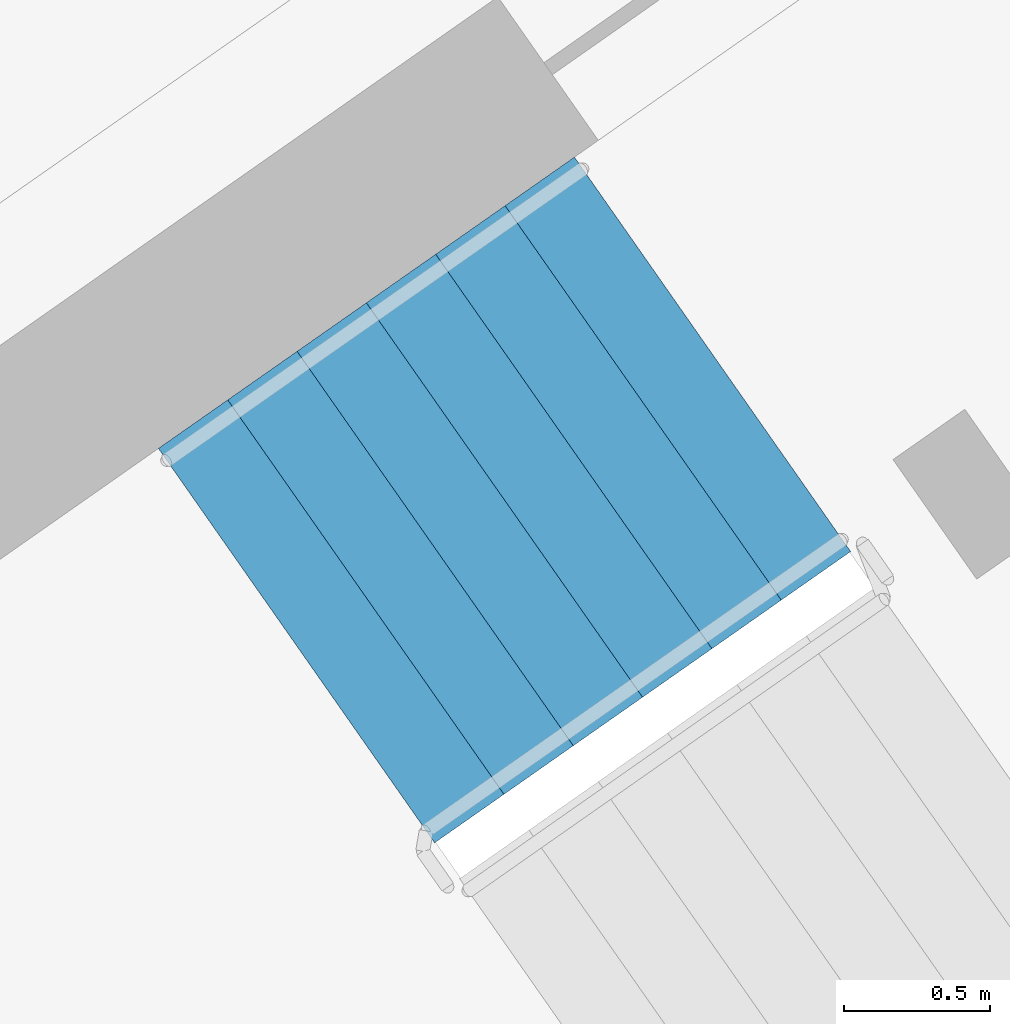
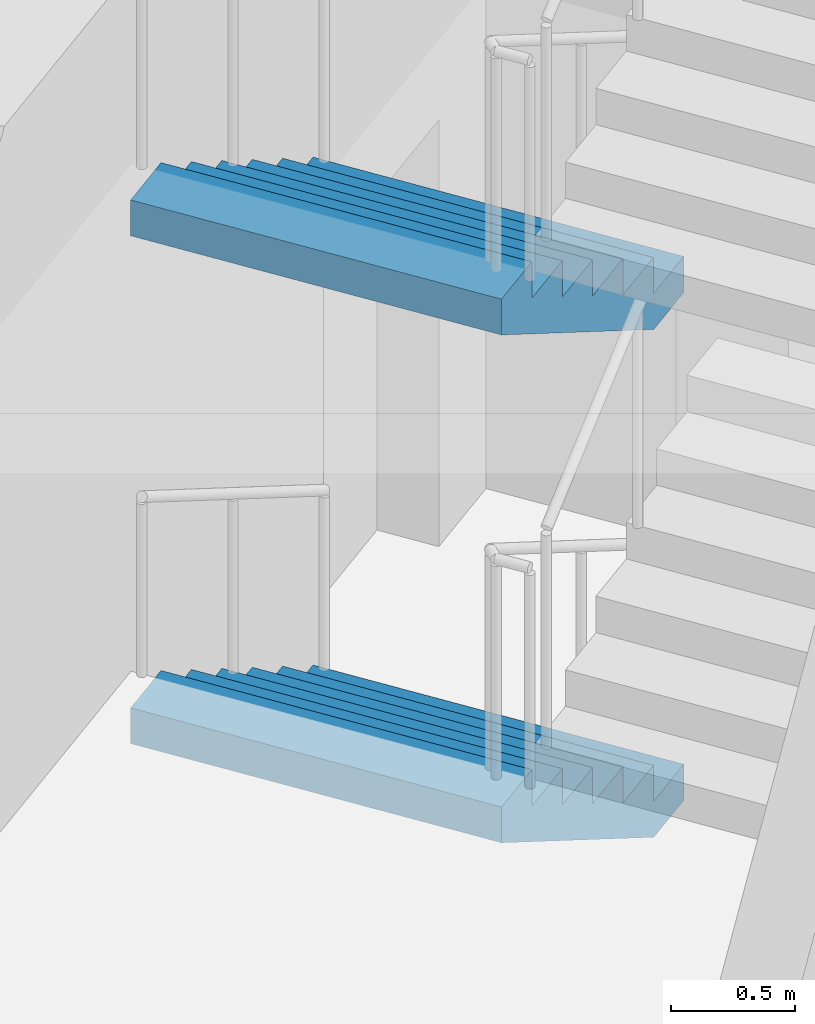
# One storey, part 18 of 24: 2 stair flights, 1 element without a shape of its own.
"""IFC4 building model written with IfcOpenShell, lengths in metres."""

from ifc_helpers import new_model, si_unit, direction, frame, origin, place, context, subcontext, project, spatial, faceted_brep, material, type_object, element, aggregate, save


model = new_model("IFC4")

# Units and contexts
model_context = context("Model", 3, precision=1e-05, world=origin(), true_north=direction((0.0, 1.0)))
body_context = subcontext(model_context, "Body", "Model", "MODEL_VIEW")
ifc_project = project(units=[si_unit("LENGTHUNIT", "METRE"), si_unit("AREAUNIT", "SQUARE_METRE"), si_unit("VOLUMEUNIT", "CUBIC_METRE"), si_unit("PLANEANGLEUNIT", "RADIAN"), si_unit("MASSUNIT", "GRAM", prefix="KILO")], contexts=[model_context])

# Site, building, storey
site_placement = place(None, origin())
site = spatial("IfcSite", under=ifc_project, at=site_placement, CompositionType="ELEMENT")
building_placement = place(site_placement, origin())
building = spatial("IfcBuilding", under=site, at=building_placement, Name="Qamariyya Broadcast Tower", CompositionType="ELEMENT")
storey_placement = place(building_placement, frame((0.0, 0.0, 253.10009765625)))
storey = spatial("IfcBuildingStorey", under=building, at=storey_placement, Name="L61", CompositionType="ELEMENT", Elevation=253.10009765625)

# Stair, stair flights
ifc_material = material(Name="Concrete C50/60", Category="concrete")
stair_type = type_object("IfcStairType", Name="Exit stair 28 risers of 179 mm", PredefinedType="HALF_TURN_STAIR", material=ifc_material)
stair_placement = place(storey_placement, origin())
stair = element("IfcStair", 1, at=stair_placement, inside=storey, type_object=stair_type, Name="L61 Stair E2", PredefinedType="HALF_TURN_STAIR")
stair_flight_type = type_object("IfcStairFlightType", Name="Exit stair flight 7 risers of 179 mm", PredefinedType="STRAIGHT", material=ifc_material)
stair_flight_1_placement = place(storey_placement, frame((40.558837890625, -47.685302734375, 0.0), z_axis=(0.0, 0.0, 1.0), x_axis=(-0.819152044289, -0.573576436351, 0.0)))
stair_flight_1 = element("IfcStairFlight", 2, at=stair_flight_1_placement, type_object=stair_flight_type, Name="ST-E2 flight 1", NumberOfRisers=7, NumberOfTreads=6, PredefinedType="STRAIGHT", RiserHeight=0.178571429, TreadLength=0.29, context=body_context, shape_type="Brep", body=[
    faceted_brep([(0.0, 0.824951171875, 0.0), (0.0, 0.824951171875, 0.178466796875), (0.2900390625, 0.824951171875, 0.178466796875), (0.2900390625, 0.824951171875, 0.357177734375), (0.580078125, 0.824951171875, 0.357177734375), (0.580078125, 0.824951171875, 0.53564453125), (0.8701171875, 0.824951171875, 0.53564453125), (0.8701171875, 0.824951171875, 0.71435546875), (1.159912109375, 0.824951171875, 0.71435546875), (1.159912109375, 0.824951171875, 0.892822265625), (1.449951171875, 0.824951171875, 0.892822265625), (1.449951171875, 0.824951171875, 1.071533203125), (1.739990234375, 0.824951171875, 1.071533203125), (1.739990234375, 0.824951171875, 0.8955078125), (0.285888671875, 0.824951171875, 0.0), (0.285888671875, -0.824951171875, 0.0), (1.739990234375, -0.824951171875, 0.8955078125), (1.739990234375, -0.824951171875, 1.071533203125), (1.449951171875, -0.824951171875, 1.071533203125), (1.449951171875, -0.824951171875, 0.892822265625), (1.159912109375, -0.824951171875, 0.892822265625), (1.159912109375, -0.824951171875, 0.71435546875), (0.8701171875, -0.824951171875, 0.71435546875), (0.8701171875, -0.824951171875, 0.53564453125), (0.580078125, -0.824951171875, 0.53564453125), (0.580078125, -0.824951171875, 0.357177734375), (0.2900390625, -0.824951171875, 0.357177734375), (0.2900390625, -0.824951171875, 0.178466796875), (0.0, -0.824951171875, 0.178466796875), (0.0, -0.824951171875, 0.0), (0.0, 0.10009765625, 0.0), (0.0, 0.086669921875, 0.0), (0.0, 0.0732421875, 0.0), (0.0, 0.06005859375, 0.0), (0.0, 0.046630859375, 0.0), (0.0, 0.033447265625, 0.0), (0.0, 0.02001953125, 0.0), (0.0, 0.006591796875, 0.0), (0.0, -0.006591796875, 0.0), (0.0, -0.02001953125, 0.0), (0.0, -0.033447265625, 0.0), (0.0, -0.046630859375, 0.0), (0.0, -0.06005859375, 0.0), (0.0, -0.0732421875, 0.0), (0.0, -0.086669921875, 0.0), (0.0, -0.10009765625, 0.0), (0.0, -0.10009765625, 0.178466796875), (0.0, -0.086669921875, 0.178466796875), (0.0, -0.0732421875, 0.178466796875), (0.0, -0.06005859375, 0.178466796875), (0.0, -0.046630859375, 0.178466796875), (0.0, -0.033447265625, 0.178466796875), (0.0, -0.02001953125, 0.178466796875), (0.0, -0.006591796875, 0.178466796875), (0.0, 0.006591796875, 0.178466796875), (0.0, 0.02001953125, 0.178466796875), (0.0, 0.033447265625, 0.178466796875), (0.0, 0.046630859375, 0.178466796875), (0.0, 0.06005859375, 0.178466796875), (0.0, 0.0732421875, 0.178466796875), (0.0, 0.086669921875, 0.178466796875), (0.0, 0.10009765625, 0.178466796875), (0.2900390625, -0.10009765625, 0.178466796875), (0.2900390625, -0.086669921875, 0.178466796875), (0.2900390625, -0.0732421875, 0.178466796875), (0.2900390625, -0.06005859375, 0.178466796875), (0.2900390625, -0.046630859375, 0.178466796875), (0.2900390625, -0.033447265625, 0.178466796875), (0.2900390625, -0.02001953125, 0.178466796875), (0.2900390625, -0.006591796875, 0.178466796875), (0.2900390625, 0.006591796875, 0.178466796875), (0.2900390625, 0.02001953125, 0.178466796875), (0.2900390625, 0.033447265625, 0.178466796875), (0.2900390625, 0.046630859375, 0.178466796875), (0.2900390625, 0.06005859375, 0.178466796875), (0.2900390625, 0.0732421875, 0.178466796875), (0.2900390625, 0.086669921875, 0.178466796875), (0.2900390625, 0.10009765625, 0.178466796875), (0.2900390625, -0.10009765625, 0.357177734375), (0.2900390625, -0.086669921875, 0.357177734375), (0.2900390625, -0.0732421875, 0.357177734375), (0.2900390625, -0.06005859375, 0.357177734375), (0.2900390625, -0.046630859375, 0.357177734375), (0.2900390625, -0.033447265625, 0.357177734375), (0.2900390625, -0.02001953125, 0.357177734375), (0.2900390625, -0.006591796875, 0.357177734375), (0.2900390625, 0.006591796875, 0.357177734375), (0.2900390625, 0.02001953125, 0.357177734375), (0.2900390625, 0.033447265625, 0.357177734375), (0.2900390625, 0.046630859375, 0.357177734375), (0.2900390625, 0.06005859375, 0.357177734375), (0.2900390625, 0.0732421875, 0.357177734375), (0.2900390625, 0.086669921875, 0.357177734375), (0.2900390625, 0.10009765625, 0.357177734375), (0.580078125, -0.10009765625, 0.357177734375), (0.580078125, -0.086669921875, 0.357177734375), (0.580078125, -0.0732421875, 0.357177734375), (0.580078125, -0.06005859375, 0.357177734375), (0.580078125, -0.046630859375, 0.357177734375), (0.580078125, -0.033447265625, 0.357177734375), (0.580078125, -0.02001953125, 0.357177734375), (0.580078125, -0.006591796875, 0.357177734375), (0.580078125, 0.006591796875, 0.357177734375), (0.580078125, 0.02001953125, 0.357177734375), (0.580078125, 0.033447265625, 0.357177734375), (0.580078125, 0.046630859375, 0.357177734375), (0.580078125, 0.06005859375, 0.357177734375), (0.580078125, 0.0732421875, 0.357177734375), (0.580078125, 0.086669921875, 0.357177734375), (0.580078125, 0.10009765625, 0.357177734375), (0.580078125, -0.10009765625, 0.53564453125), (0.580078125, -0.086669921875, 0.53564453125), (0.580078125, -0.0732421875, 0.53564453125), (0.580078125, -0.06005859375, 0.53564453125), (0.580078125, -0.046630859375, 0.53564453125), (0.580078125, -0.033447265625, 0.53564453125), (0.580078125, -0.02001953125, 0.53564453125), (0.580078125, -0.006591796875, 0.53564453125), (0.580078125, 0.006591796875, 0.53564453125), (0.580078125, 0.02001953125, 0.53564453125), (0.580078125, 0.033447265625, 0.53564453125), (0.580078125, 0.046630859375, 0.53564453125), (0.580078125, 0.06005859375, 0.53564453125), (0.580078125, 0.0732421875, 0.53564453125), (0.580078125, 0.086669921875, 0.53564453125), (0.580078125, 0.10009765625, 0.53564453125), (0.8701171875, -0.10009765625, 0.53564453125), (0.8701171875, -0.086669921875, 0.53564453125), (0.8701171875, -0.0732421875, 0.53564453125), (0.8701171875, -0.06005859375, 0.53564453125), (0.8701171875, -0.046630859375, 0.53564453125), (0.8701171875, -0.033447265625, 0.53564453125), (0.8701171875, -0.02001953125, 0.53564453125), (0.8701171875, -0.006591796875, 0.53564453125), (0.8701171875, 0.006591796875, 0.53564453125), (0.8701171875, 0.02001953125, 0.53564453125), (0.8701171875, 0.033447265625, 0.53564453125), (0.8701171875, 0.046630859375, 0.53564453125), (0.8701171875, 0.06005859375, 0.53564453125), (0.8701171875, 0.0732421875, 0.53564453125), (0.8701171875, 0.086669921875, 0.53564453125), (0.8701171875, 0.10009765625, 0.53564453125), (0.8701171875, -0.10009765625, 0.71435546875), (0.8701171875, -0.086669921875, 0.71435546875), (0.8701171875, -0.0732421875, 0.71435546875), (0.8701171875, -0.06005859375, 0.71435546875), (0.8701171875, -0.046630859375, 0.71435546875), (0.8701171875, -0.033447265625, 0.71435546875), (0.8701171875, -0.02001953125, 0.71435546875), (0.8701171875, -0.006591796875, 0.71435546875), (0.8701171875, 0.006591796875, 0.71435546875), (0.8701171875, 0.02001953125, 0.71435546875), (0.8701171875, 0.033447265625, 0.71435546875), (0.8701171875, 0.046630859375, 0.71435546875), (0.8701171875, 0.06005859375, 0.71435546875), (0.8701171875, 0.0732421875, 0.71435546875), (0.8701171875, 0.086669921875, 0.71435546875), (0.8701171875, 0.10009765625, 0.71435546875), (1.159912109375, -0.10009765625, 0.71435546875), (1.159912109375, -0.086669921875, 0.71435546875), (1.159912109375, -0.0732421875, 0.71435546875), (1.159912109375, -0.06005859375, 0.71435546875), (1.159912109375, -0.046630859375, 0.71435546875), (1.159912109375, -0.033447265625, 0.71435546875), (1.159912109375, -0.02001953125, 0.71435546875), (1.159912109375, -0.006591796875, 0.71435546875), (1.159912109375, 0.006591796875, 0.71435546875), (1.159912109375, 0.02001953125, 0.71435546875), (1.159912109375, 0.033447265625, 0.71435546875), (1.159912109375, 0.046630859375, 0.71435546875), (1.159912109375, 0.06005859375, 0.71435546875), (1.159912109375, 0.0732421875, 0.71435546875), (1.159912109375, 0.086669921875, 0.71435546875), (1.159912109375, 0.10009765625, 0.71435546875), (1.159912109375, -0.10009765625, 0.892822265625), (1.159912109375, -0.086669921875, 0.892822265625), (1.159912109375, -0.0732421875, 0.892822265625), (1.159912109375, -0.06005859375, 0.892822265625), (1.159912109375, -0.046630859375, 0.892822265625), (1.159912109375, -0.033447265625, 0.892822265625), (1.159912109375, -0.02001953125, 0.892822265625), (1.159912109375, -0.006591796875, 0.892822265625), (1.159912109375, 0.006591796875, 0.892822265625), (1.159912109375, 0.02001953125, 0.892822265625), (1.159912109375, 0.033447265625, 0.892822265625), (1.159912109375, 0.046630859375, 0.892822265625), (1.159912109375, 0.06005859375, 0.892822265625), (1.159912109375, 0.0732421875, 0.892822265625), (1.159912109375, 0.086669921875, 0.892822265625), (1.159912109375, 0.10009765625, 0.892822265625), (1.449951171875, -0.10009765625, 0.892822265625), (1.449951171875, -0.086669921875, 0.892822265625), (1.449951171875, -0.0732421875, 0.892822265625), (1.449951171875, -0.06005859375, 0.892822265625), (1.449951171875, -0.046630859375, 0.892822265625), (1.449951171875, -0.033447265625, 0.892822265625), (1.449951171875, -0.02001953125, 0.892822265625), (1.449951171875, -0.006591796875, 0.892822265625), (1.449951171875, 0.006591796875, 0.892822265625), (1.449951171875, 0.02001953125, 0.892822265625), (1.449951171875, 0.033447265625, 0.892822265625), (1.449951171875, 0.046630859375, 0.892822265625), (1.449951171875, 0.06005859375, 0.892822265625), (1.449951171875, 0.0732421875, 0.892822265625), (1.449951171875, 0.086669921875, 0.892822265625), (1.449951171875, 0.10009765625, 0.892822265625), (1.449951171875, -0.10009765625, 1.071533203125), (1.449951171875, -0.086669921875, 1.071533203125), (1.449951171875, -0.0732421875, 1.071533203125), (1.449951171875, -0.06005859375, 1.071533203125), (1.449951171875, -0.046630859375, 1.071533203125), (1.449951171875, -0.033447265625, 1.071533203125), (1.449951171875, -0.02001953125, 1.071533203125), (1.449951171875, -0.006591796875, 1.071533203125), (1.449951171875, 0.006591796875, 1.071533203125), (1.449951171875, 0.02001953125, 1.071533203125), (1.449951171875, 0.033447265625, 1.071533203125), (1.449951171875, 0.046630859375, 1.071533203125), (1.449951171875, 0.06005859375, 1.071533203125), (1.449951171875, 0.0732421875, 1.071533203125), (1.449951171875, 0.086669921875, 1.071533203125), (1.449951171875, 0.10009765625, 1.071533203125), (1.739990234375, -0.10009765625, 1.071533203125), (1.739990234375, -0.086669921875, 1.071533203125), (1.739990234375, -0.0732421875, 1.071533203125), (1.739990234375, -0.06005859375, 1.071533203125), (1.739990234375, -0.046630859375, 1.071533203125), (1.739990234375, -0.033447265625, 1.071533203125), (1.739990234375, -0.02001953125, 1.071533203125), (1.739990234375, -0.006591796875, 1.071533203125), (1.739990234375, 0.006591796875, 1.071533203125), (1.739990234375, 0.02001953125, 1.071533203125), (1.739990234375, 0.033447265625, 1.071533203125), (1.739990234375, 0.046630859375, 1.071533203125), (1.739990234375, 0.06005859375, 1.071533203125), (1.739990234375, 0.0732421875, 1.071533203125), (1.739990234375, 0.086669921875, 1.071533203125), (1.739990234375, 0.10009765625, 1.071533203125), (1.739990234375, -0.10009765625, 0.8955078125), (1.739990234375, -0.086669921875, 0.8955078125), (1.739990234375, -0.0732421875, 0.8955078125), (1.739990234375, -0.06005859375, 0.8955078125), (1.739990234375, -0.046630859375, 0.8955078125), (1.739990234375, -0.033447265625, 0.8955078125), (1.739990234375, -0.02001953125, 0.8955078125), (1.739990234375, -0.006591796875, 0.8955078125), (1.739990234375, 0.006591796875, 0.8955078125), (1.739990234375, 0.02001953125, 0.8955078125), (1.739990234375, 0.033447265625, 0.8955078125), (1.739990234375, 0.046630859375, 0.8955078125), (1.739990234375, 0.06005859375, 0.8955078125), (1.739990234375, 0.0732421875, 0.8955078125), (1.739990234375, 0.086669921875, 0.8955078125), (1.739990234375, 0.10009765625, 0.8955078125), (0.285888671875, -0.10009765625, 0.0), (0.285888671875, -0.086669921875, 0.0), (0.285888671875, -0.0732421875, 0.0), (0.285888671875, -0.06005859375, 0.0), (0.285888671875, -0.046630859375, 0.0), (0.285888671875, -0.033447265625, 0.0), (0.285888671875, -0.02001953125, 0.0), (0.285888671875, -0.006591796875, 0.0), (0.285888671875, 0.006591796875, 0.0), (0.285888671875, 0.02001953125, 0.0), (0.285888671875, 0.033447265625, 0.0), (0.285888671875, 0.046630859375, 0.0), (0.285888671875, 0.06005859375, 0.0), (0.285888671875, 0.0732421875, 0.0), (0.285888671875, 0.086669921875, 0.0), (0.285888671875, 0.10009765625, 0.0)], [[[0, 1, 2, 3, 4, 5, 6, 7, 8, 9, 10, 11, 12, 13, 14]], [[15, 16, 17, 18, 19, 20, 21, 22, 23, 24, 25, 26, 27, 28, 29]], [[0, 30, 31, 32, 33, 34, 35, 36, 37, 38, 39, 40, 41, 42, 43, 44, 45, 29, 28, 46, 47, 48, 49, 50, 51, 52, 53, 54, 55, 56, 57, 58, 59, 60, 61, 1]], [[1, 61, 60, 59, 58, 57, 56, 55, 54, 53, 52, 51, 50, 49, 48, 47, 46, 28, 27, 62, 63, 64, 65, 66, 67, 68, 69, 70, 71, 72, 73, 74, 75, 76, 77, 2]], [[2, 77, 76, 75, 74, 73, 72, 71, 70, 69, 68, 67, 66, 65, 64, 63, 62, 27, 26, 78, 79, 80, 81, 82, 83, 84, 85, 86, 87, 88, 89, 90, 91, 92, 93, 3]], [[3, 93, 92, 91, 90, 89, 88, 87, 86, 85, 84, 83, 82, 81, 80, 79, 78, 26, 25, 94, 95, 96, 97, 98, 99, 100, 101, 102, 103, 104, 105, 106, 107, 108, 109, 4]], [[4, 109, 108, 107, 106, 105, 104, 103, 102, 101, 100, 99, 98, 97, 96, 95, 94, 25, 24, 110, 111, 112, 113, 114, 115, 116, 117, 118, 119, 120, 121, 122, 123, 124, 125, 5]], [[5, 125, 124, 123, 122, 121, 120, 119, 118, 117, 116, 115, 114, 113, 112, 111, 110, 24, 23, 126, 127, 128, 129, 130, 131, 132, 133, 134, 135, 136, 137, 138, 139, 140, 141, 6]], [[6, 141, 140, 139, 138, 137, 136, 135, 134, 133, 132, 131, 130, 129, 128, 127, 126, 23, 22, 142, 143, 144, 145, 146, 147, 148, 149, 150, 151, 152, 153, 154, 155, 156, 157, 7]], [[7, 157, 156, 155, 154, 153, 152, 151, 150, 149, 148, 147, 146, 145, 144, 143, 142, 22, 21, 158, 159, 160, 161, 162, 163, 164, 165, 166, 167, 168, 169, 170, 171, 172, 173, 8]], [[8, 173, 172, 171, 170, 169, 168, 167, 166, 165, 164, 163, 162, 161, 160, 159, 158, 21, 20, 174, 175, 176, 177, 178, 179, 180, 181, 182, 183, 184, 185, 186, 187, 188, 189, 9]], [[9, 189, 188, 187, 186, 185, 184, 183, 182, 181, 180, 179, 178, 177, 176, 175, 174, 20, 19, 190, 191, 192, 193, 194, 195, 196, 197, 198, 199, 200, 201, 202, 203, 204, 205, 10]], [[10, 205, 204, 203, 202, 201, 200, 199, 198, 197, 196, 195, 194, 193, 192, 191, 190, 19, 18, 206, 207, 208, 209, 210, 211, 212, 213, 214, 215, 216, 217, 218, 219, 220, 221, 11]], [[11, 221, 220, 219, 218, 217, 216, 215, 214, 213, 212, 211, 210, 209, 208, 207, 206, 18, 17, 222, 223, 224, 225, 226, 227, 228, 229, 230, 231, 232, 233, 234, 235, 236, 237, 12]], [[12, 237, 236, 235, 234, 233, 232, 231, 230, 229, 228, 227, 226, 225, 224, 223, 222, 17, 16, 238, 239, 240, 241, 242, 243, 244, 245, 246, 247, 248, 249, 250, 251, 252, 253, 13]], [[13, 253, 252, 251, 250, 249, 248, 247, 246, 245, 244, 243, 242, 241, 240, 239, 238, 16, 15, 254, 255, 256, 257, 258, 259, 260, 261, 262, 263, 264, 265, 266, 267, 268, 269, 14]], [[14, 269, 268, 267, 266, 265, 264, 263, 262, 261, 260, 259, 258, 257, 256, 255, 254, 15, 29, 45, 44, 43, 42, 41, 40, 39, 38, 37, 36, 35, 34, 33, 32, 31, 30, 0]]]),
])
stair_flight_2_placement = place(storey_placement, frame((40.558837890625, -47.685302734375, 2.5), z_axis=(0.0, 0.0, 1.0), x_axis=(-0.819152044289, -0.573576436351, 0.0)))
stair_flight_2 = element("IfcStairFlight", 3, at=stair_flight_2_placement, type_object=stair_flight_type, Name="ST-E2 flight 3", NumberOfRisers=7, NumberOfTreads=6, PredefinedType="STRAIGHT", RiserHeight=0.178571429, TreadLength=0.29, context=body_context, shape_type="Brep", body=[
    faceted_brep([(0.0, 0.824951171875, 0.0), (0.0, 0.824951171875, 0.178466796875), (0.2900390625, 0.824951171875, 0.178466796875), (0.2900390625, 0.824951171875, 0.357177734375), (0.580078125, 0.824951171875, 0.357177734375), (0.580078125, 0.824951171875, 0.53564453125), (0.8701171875, 0.824951171875, 0.53564453125), (0.8701171875, 0.824951171875, 0.71435546875), (1.159912109375, 0.824951171875, 0.71435546875), (1.159912109375, 0.824951171875, 0.892822265625), (1.449951171875, 0.824951171875, 0.892822265625), (1.449951171875, 0.824951171875, 1.071533203125), (1.739990234375, 0.824951171875, 1.071533203125), (1.739990234375, 0.824951171875, 0.8955078125), (0.285888671875, 0.824951171875, 0.0), (0.285888671875, -0.824951171875, 0.0), (1.739990234375, -0.824951171875, 0.8955078125), (1.739990234375, -0.824951171875, 1.071533203125), (1.449951171875, -0.824951171875, 1.071533203125), (1.449951171875, -0.824951171875, 0.892822265625), (1.159912109375, -0.824951171875, 0.892822265625), (1.159912109375, -0.824951171875, 0.71435546875), (0.8701171875, -0.824951171875, 0.71435546875), (0.8701171875, -0.824951171875, 0.53564453125), (0.580078125, -0.824951171875, 0.53564453125), (0.580078125, -0.824951171875, 0.357177734375), (0.2900390625, -0.824951171875, 0.357177734375), (0.2900390625, -0.824951171875, 0.178466796875), (0.0, -0.824951171875, 0.178466796875), (0.0, -0.824951171875, 0.0), (0.0, 0.10009765625, 0.0), (0.0, 0.086669921875, 0.0), (0.0, 0.0732421875, 0.0), (0.0, 0.06005859375, 0.0), (0.0, 0.046630859375, 0.0), (0.0, 0.033447265625, 0.0), (0.0, 0.02001953125, 0.0), (0.0, 0.006591796875, 0.0), (0.0, -0.006591796875, 0.0), (0.0, -0.02001953125, 0.0), (0.0, -0.033447265625, 0.0), (0.0, -0.046630859375, 0.0), (0.0, -0.06005859375, 0.0), (0.0, -0.0732421875, 0.0), (0.0, -0.086669921875, 0.0), (0.0, -0.10009765625, 0.0), (0.0, -0.10009765625, 0.178466796875), (0.0, -0.086669921875, 0.178466796875), (0.0, -0.0732421875, 0.178466796875), (0.0, -0.06005859375, 0.178466796875), (0.0, -0.046630859375, 0.178466796875), (0.0, -0.033447265625, 0.178466796875), (0.0, -0.02001953125, 0.178466796875), (0.0, -0.006591796875, 0.178466796875), (0.0, 0.006591796875, 0.178466796875), (0.0, 0.02001953125, 0.178466796875), (0.0, 0.033447265625, 0.178466796875), (0.0, 0.046630859375, 0.178466796875), (0.0, 0.06005859375, 0.178466796875), (0.0, 0.0732421875, 0.178466796875), (0.0, 0.086669921875, 0.178466796875), (0.0, 0.10009765625, 0.178466796875), (0.2900390625, -0.10009765625, 0.178466796875), (0.2900390625, -0.086669921875, 0.178466796875), (0.2900390625, -0.0732421875, 0.178466796875), (0.2900390625, -0.06005859375, 0.178466796875), (0.2900390625, -0.046630859375, 0.178466796875), (0.2900390625, -0.033447265625, 0.178466796875), (0.2900390625, -0.02001953125, 0.178466796875), (0.2900390625, -0.006591796875, 0.178466796875), (0.2900390625, 0.006591796875, 0.178466796875), (0.2900390625, 0.02001953125, 0.178466796875), (0.2900390625, 0.033447265625, 0.178466796875), (0.2900390625, 0.046630859375, 0.178466796875), (0.2900390625, 0.06005859375, 0.178466796875), (0.2900390625, 0.0732421875, 0.178466796875), (0.2900390625, 0.086669921875, 0.178466796875), (0.2900390625, 0.10009765625, 0.178466796875), (0.2900390625, -0.10009765625, 0.357177734375), (0.2900390625, -0.086669921875, 0.357177734375), (0.2900390625, -0.0732421875, 0.357177734375), (0.2900390625, -0.06005859375, 0.357177734375), (0.2900390625, -0.046630859375, 0.357177734375), (0.2900390625, -0.033447265625, 0.357177734375), (0.2900390625, -0.02001953125, 0.357177734375), (0.2900390625, -0.006591796875, 0.357177734375), (0.2900390625, 0.006591796875, 0.357177734375), (0.2900390625, 0.02001953125, 0.357177734375), (0.2900390625, 0.033447265625, 0.357177734375), (0.2900390625, 0.046630859375, 0.357177734375), (0.2900390625, 0.06005859375, 0.357177734375), (0.2900390625, 0.0732421875, 0.357177734375), (0.2900390625, 0.086669921875, 0.357177734375), (0.2900390625, 0.10009765625, 0.357177734375), (0.580078125, -0.10009765625, 0.357177734375), (0.580078125, -0.086669921875, 0.357177734375), (0.580078125, -0.0732421875, 0.357177734375), (0.580078125, -0.06005859375, 0.357177734375), (0.580078125, -0.046630859375, 0.357177734375), (0.580078125, -0.033447265625, 0.357177734375), (0.580078125, -0.02001953125, 0.357177734375), (0.580078125, -0.006591796875, 0.357177734375), (0.580078125, 0.006591796875, 0.357177734375), (0.580078125, 0.02001953125, 0.357177734375), (0.580078125, 0.033447265625, 0.357177734375), (0.580078125, 0.046630859375, 0.357177734375), (0.580078125, 0.06005859375, 0.357177734375), (0.580078125, 0.0732421875, 0.357177734375), (0.580078125, 0.086669921875, 0.357177734375), (0.580078125, 0.10009765625, 0.357177734375), (0.580078125, -0.10009765625, 0.53564453125), (0.580078125, -0.086669921875, 0.53564453125), (0.580078125, -0.0732421875, 0.53564453125), (0.580078125, -0.06005859375, 0.53564453125), (0.580078125, -0.046630859375, 0.53564453125), (0.580078125, -0.033447265625, 0.53564453125), (0.580078125, -0.02001953125, 0.53564453125), (0.580078125, -0.006591796875, 0.53564453125), (0.580078125, 0.006591796875, 0.53564453125), (0.580078125, 0.02001953125, 0.53564453125), (0.580078125, 0.033447265625, 0.53564453125), (0.580078125, 0.046630859375, 0.53564453125), (0.580078125, 0.06005859375, 0.53564453125), (0.580078125, 0.0732421875, 0.53564453125), (0.580078125, 0.086669921875, 0.53564453125), (0.580078125, 0.10009765625, 0.53564453125), (0.8701171875, -0.10009765625, 0.53564453125), (0.8701171875, -0.086669921875, 0.53564453125), (0.8701171875, -0.0732421875, 0.53564453125), (0.8701171875, -0.06005859375, 0.53564453125), (0.8701171875, -0.046630859375, 0.53564453125), (0.8701171875, -0.033447265625, 0.53564453125), (0.8701171875, -0.02001953125, 0.53564453125), (0.8701171875, -0.006591796875, 0.53564453125), (0.8701171875, 0.006591796875, 0.53564453125), (0.8701171875, 0.02001953125, 0.53564453125), (0.8701171875, 0.033447265625, 0.53564453125), (0.8701171875, 0.046630859375, 0.53564453125), (0.8701171875, 0.06005859375, 0.53564453125), (0.8701171875, 0.0732421875, 0.53564453125), (0.8701171875, 0.086669921875, 0.53564453125), (0.8701171875, 0.10009765625, 0.53564453125), (0.8701171875, -0.10009765625, 0.71435546875), (0.8701171875, -0.086669921875, 0.71435546875), (0.8701171875, -0.0732421875, 0.71435546875), (0.8701171875, -0.06005859375, 0.71435546875), (0.8701171875, -0.046630859375, 0.71435546875), (0.8701171875, -0.033447265625, 0.71435546875), (0.8701171875, -0.02001953125, 0.71435546875), (0.8701171875, -0.006591796875, 0.71435546875), (0.8701171875, 0.006591796875, 0.71435546875), (0.8701171875, 0.02001953125, 0.71435546875), (0.8701171875, 0.033447265625, 0.71435546875), (0.8701171875, 0.046630859375, 0.71435546875), (0.8701171875, 0.06005859375, 0.71435546875), (0.8701171875, 0.0732421875, 0.71435546875), (0.8701171875, 0.086669921875, 0.71435546875), (0.8701171875, 0.10009765625, 0.71435546875), (1.159912109375, -0.10009765625, 0.71435546875), (1.159912109375, -0.086669921875, 0.71435546875), (1.159912109375, -0.0732421875, 0.71435546875), (1.159912109375, -0.06005859375, 0.71435546875), (1.159912109375, -0.046630859375, 0.71435546875), (1.159912109375, -0.033447265625, 0.71435546875), (1.159912109375, -0.02001953125, 0.71435546875), (1.159912109375, -0.006591796875, 0.71435546875), (1.159912109375, 0.006591796875, 0.71435546875), (1.159912109375, 0.02001953125, 0.71435546875), (1.159912109375, 0.033447265625, 0.71435546875), (1.159912109375, 0.046630859375, 0.71435546875), (1.159912109375, 0.06005859375, 0.71435546875), (1.159912109375, 0.0732421875, 0.71435546875), (1.159912109375, 0.086669921875, 0.71435546875), (1.159912109375, 0.10009765625, 0.71435546875), (1.159912109375, -0.10009765625, 0.892822265625), (1.159912109375, -0.086669921875, 0.892822265625), (1.159912109375, -0.0732421875, 0.892822265625), (1.159912109375, -0.06005859375, 0.892822265625), (1.159912109375, -0.046630859375, 0.892822265625), (1.159912109375, -0.033447265625, 0.892822265625), (1.159912109375, -0.02001953125, 0.892822265625), (1.159912109375, -0.006591796875, 0.892822265625), (1.159912109375, 0.006591796875, 0.892822265625), (1.159912109375, 0.02001953125, 0.892822265625), (1.159912109375, 0.033447265625, 0.892822265625), (1.159912109375, 0.046630859375, 0.892822265625), (1.159912109375, 0.06005859375, 0.892822265625), (1.159912109375, 0.0732421875, 0.892822265625), (1.159912109375, 0.086669921875, 0.892822265625), (1.159912109375, 0.10009765625, 0.892822265625), (1.449951171875, -0.10009765625, 0.892822265625), (1.449951171875, -0.086669921875, 0.892822265625), (1.449951171875, -0.0732421875, 0.892822265625), (1.449951171875, -0.06005859375, 0.892822265625), (1.449951171875, -0.046630859375, 0.892822265625), (1.449951171875, -0.033447265625, 0.892822265625), (1.449951171875, -0.02001953125, 0.892822265625), (1.449951171875, -0.006591796875, 0.892822265625), (1.449951171875, 0.006591796875, 0.892822265625), (1.449951171875, 0.02001953125, 0.892822265625), (1.449951171875, 0.033447265625, 0.892822265625), (1.449951171875, 0.046630859375, 0.892822265625), (1.449951171875, 0.06005859375, 0.892822265625), (1.449951171875, 0.0732421875, 0.892822265625), (1.449951171875, 0.086669921875, 0.892822265625), (1.449951171875, 0.10009765625, 0.892822265625), (1.449951171875, -0.10009765625, 1.071533203125), (1.449951171875, -0.086669921875, 1.071533203125), (1.449951171875, -0.0732421875, 1.071533203125), (1.449951171875, -0.06005859375, 1.071533203125), (1.449951171875, -0.046630859375, 1.071533203125), (1.449951171875, -0.033447265625, 1.071533203125), (1.449951171875, -0.02001953125, 1.071533203125), (1.449951171875, -0.006591796875, 1.071533203125), (1.449951171875, 0.006591796875, 1.071533203125), (1.449951171875, 0.02001953125, 1.071533203125), (1.449951171875, 0.033447265625, 1.071533203125), (1.449951171875, 0.046630859375, 1.071533203125), (1.449951171875, 0.06005859375, 1.071533203125), (1.449951171875, 0.0732421875, 1.071533203125), (1.449951171875, 0.086669921875, 1.071533203125), (1.449951171875, 0.10009765625, 1.071533203125), (1.739990234375, -0.10009765625, 1.071533203125), (1.739990234375, -0.086669921875, 1.071533203125), (1.739990234375, -0.0732421875, 1.071533203125), (1.739990234375, -0.06005859375, 1.071533203125), (1.739990234375, -0.046630859375, 1.071533203125), (1.739990234375, -0.033447265625, 1.071533203125), (1.739990234375, -0.02001953125, 1.071533203125), (1.739990234375, -0.006591796875, 1.071533203125), (1.739990234375, 0.006591796875, 1.071533203125), (1.739990234375, 0.02001953125, 1.071533203125), (1.739990234375, 0.033447265625, 1.071533203125), (1.739990234375, 0.046630859375, 1.071533203125), (1.739990234375, 0.06005859375, 1.071533203125), (1.739990234375, 0.0732421875, 1.071533203125), (1.739990234375, 0.086669921875, 1.071533203125), (1.739990234375, 0.10009765625, 1.071533203125), (1.739990234375, -0.10009765625, 0.8955078125), (1.739990234375, -0.086669921875, 0.8955078125), (1.739990234375, -0.0732421875, 0.8955078125), (1.739990234375, -0.06005859375, 0.8955078125), (1.739990234375, -0.046630859375, 0.8955078125), (1.739990234375, -0.033447265625, 0.8955078125), (1.739990234375, -0.02001953125, 0.8955078125), (1.739990234375, -0.006591796875, 0.8955078125), (1.739990234375, 0.006591796875, 0.8955078125), (1.739990234375, 0.02001953125, 0.8955078125), (1.739990234375, 0.033447265625, 0.8955078125), (1.739990234375, 0.046630859375, 0.8955078125), (1.739990234375, 0.06005859375, 0.8955078125), (1.739990234375, 0.0732421875, 0.8955078125), (1.739990234375, 0.086669921875, 0.8955078125), (1.739990234375, 0.10009765625, 0.8955078125), (0.285888671875, -0.10009765625, 0.0), (0.285888671875, -0.086669921875, 0.0), (0.285888671875, -0.0732421875, 0.0), (0.285888671875, -0.06005859375, 0.0), (0.285888671875, -0.046630859375, 0.0), (0.285888671875, -0.033447265625, 0.0), (0.285888671875, -0.02001953125, 0.0), (0.285888671875, -0.006591796875, 0.0), (0.285888671875, 0.006591796875, 0.0), (0.285888671875, 0.02001953125, 0.0), (0.285888671875, 0.033447265625, 0.0), (0.285888671875, 0.046630859375, 0.0), (0.285888671875, 0.06005859375, 0.0), (0.285888671875, 0.0732421875, 0.0), (0.285888671875, 0.086669921875, 0.0), (0.285888671875, 0.10009765625, 0.0)], [[[0, 1, 2, 3, 4, 5, 6, 7, 8, 9, 10, 11, 12, 13, 14]], [[15, 16, 17, 18, 19, 20, 21, 22, 23, 24, 25, 26, 27, 28, 29]], [[0, 30, 31, 32, 33, 34, 35, 36, 37, 38, 39, 40, 41, 42, 43, 44, 45, 29, 28, 46, 47, 48, 49, 50, 51, 52, 53, 54, 55, 56, 57, 58, 59, 60, 61, 1]], [[1, 61, 60, 59, 58, 57, 56, 55, 54, 53, 52, 51, 50, 49, 48, 47, 46, 28, 27, 62, 63, 64, 65, 66, 67, 68, 69, 70, 71, 72, 73, 74, 75, 76, 77, 2]], [[2, 77, 76, 75, 74, 73, 72, 71, 70, 69, 68, 67, 66, 65, 64, 63, 62, 27, 26, 78, 79, 80, 81, 82, 83, 84, 85, 86, 87, 88, 89, 90, 91, 92, 93, 3]], [[3, 93, 92, 91, 90, 89, 88, 87, 86, 85, 84, 83, 82, 81, 80, 79, 78, 26, 25, 94, 95, 96, 97, 98, 99, 100, 101, 102, 103, 104, 105, 106, 107, 108, 109, 4]], [[4, 109, 108, 107, 106, 105, 104, 103, 102, 101, 100, 99, 98, 97, 96, 95, 94, 25, 24, 110, 111, 112, 113, 114, 115, 116, 117, 118, 119, 120, 121, 122, 123, 124, 125, 5]], [[5, 125, 124, 123, 122, 121, 120, 119, 118, 117, 116, 115, 114, 113, 112, 111, 110, 24, 23, 126, 127, 128, 129, 130, 131, 132, 133, 134, 135, 136, 137, 138, 139, 140, 141, 6]], [[6, 141, 140, 139, 138, 137, 136, 135, 134, 133, 132, 131, 130, 129, 128, 127, 126, 23, 22, 142, 143, 144, 145, 146, 147, 148, 149, 150, 151, 152, 153, 154, 155, 156, 157, 7]], [[7, 157, 156, 155, 154, 153, 152, 151, 150, 149, 148, 147, 146, 145, 144, 143, 142, 22, 21, 158, 159, 160, 161, 162, 163, 164, 165, 166, 167, 168, 169, 170, 171, 172, 173, 8]], [[8, 173, 172, 171, 170, 169, 168, 167, 166, 165, 164, 163, 162, 161, 160, 159, 158, 21, 20, 174, 175, 176, 177, 178, 179, 180, 181, 182, 183, 184, 185, 186, 187, 188, 189, 9]], [[9, 189, 188, 187, 186, 185, 184, 183, 182, 181, 180, 179, 178, 177, 176, 175, 174, 20, 19, 190, 191, 192, 193, 194, 195, 196, 197, 198, 199, 200, 201, 202, 203, 204, 205, 10]], [[10, 205, 204, 203, 202, 201, 200, 199, 198, 197, 196, 195, 194, 193, 192, 191, 190, 19, 18, 206, 207, 208, 209, 210, 211, 212, 213, 214, 215, 216, 217, 218, 219, 220, 221, 11]], [[11, 221, 220, 219, 218, 217, 216, 215, 214, 213, 212, 211, 210, 209, 208, 207, 206, 18, 17, 222, 223, 224, 225, 226, 227, 228, 229, 230, 231, 232, 233, 234, 235, 236, 237, 12]], [[12, 237, 236, 235, 234, 233, 232, 231, 230, 229, 228, 227, 226, 225, 224, 223, 222, 17, 16, 238, 239, 240, 241, 242, 243, 244, 245, 246, 247, 248, 249, 250, 251, 252, 253, 13]], [[13, 253, 252, 251, 250, 249, 248, 247, 246, 245, 244, 243, 242, 241, 240, 239, 238, 16, 15, 254, 255, 256, 257, 258, 259, 260, 261, 262, 263, 264, 265, 266, 267, 268, 269, 14]], [[14, 269, 268, 267, 266, 265, 264, 263, 262, 261, 260, 259, 258, 257, 256, 255, 254, 15, 29, 45, 44, 43, 42, 41, 40, 39, 38, 37, 36, 35, 34, 33, 32, 31, 30, 0]]]),
])
aggregate(stair, [stair_flight_1, stair_flight_2])

save(model, "model.ifc")
